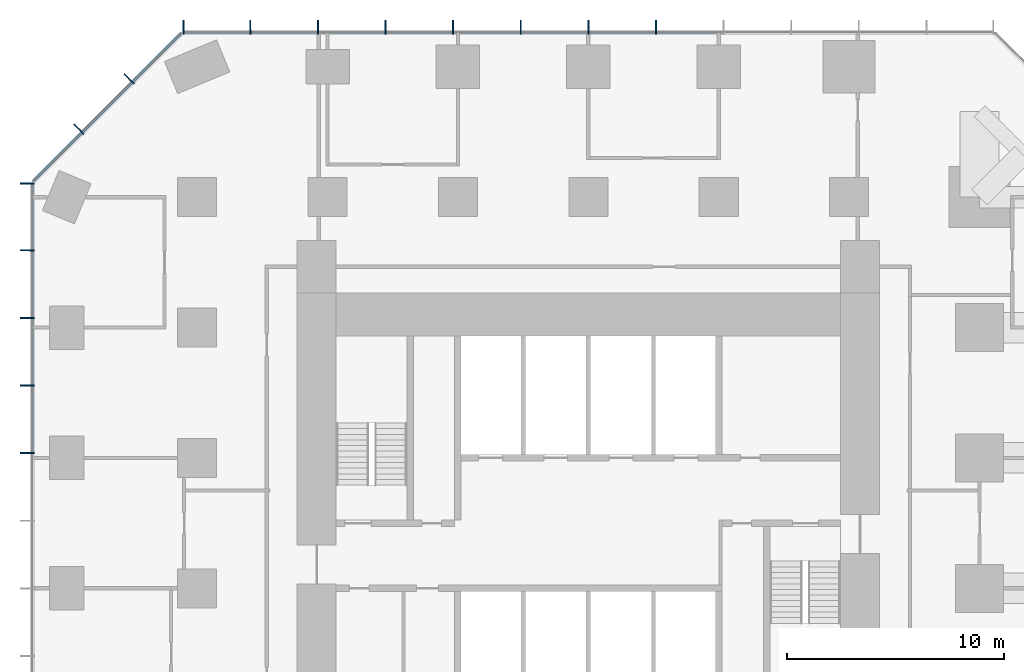
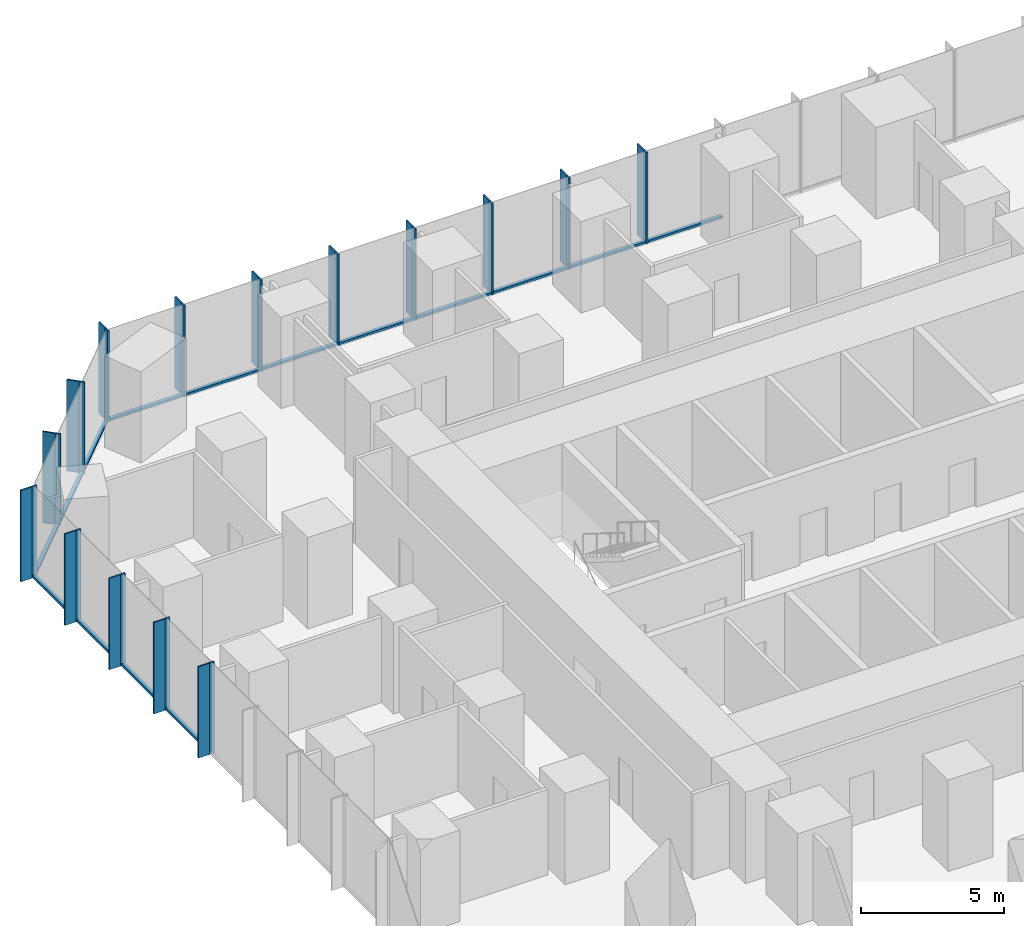
# One storey, part 5 of 12: 45 members, 3 elements without a shape of their own.
"""IFC4 building model written with IfcOpenShell, lengths in metres."""

from ifc_helpers import new_model, si_unit, direction, frame, origin, origin_2d, place, context, subcontext, project, spatial, rectangle, extrude, material, layer, layer_set, material_profile, profile_set, type_object, element, aggregate, save


model = new_model("IFC4")

# Units and contexts
model_context = context("Model", 3, precision=1e-05, world=origin(), true_north=direction((0.0, 1.0)))
body_context = subcontext(model_context, "Body", "Model", "MODEL_VIEW")
ifc_project = project(units=[si_unit("LENGTHUNIT", "METRE"), si_unit("AREAUNIT", "SQUARE_METRE"), si_unit("VOLUMEUNIT", "CUBIC_METRE"), si_unit("PLANEANGLEUNIT", "RADIAN"), si_unit("MASSUNIT", "GRAM", prefix="KILO")], contexts=[model_context])

# Site, building, storey
site_placement = place(None, origin())
site = spatial("IfcSite", under=ifc_project, at=site_placement, CompositionType="ELEMENT")
building_placement = place(site_placement, origin())
building = spatial("IfcBuilding", under=site, at=building_placement, Name="Highveld Stack Headquarters", CompositionType="ELEMENT")
storey_placement = place(building_placement, frame((0.0, 0.0, 45.5)))
storey = spatial("IfcBuildingStorey", under=building, at=storey_placement, Name="L10", CompositionType="ELEMENT", Elevation=45.5)

# Curtain wall, members
ifc_material_1 = material(Name="Aluminium bronze anodised", Category="aluminium")
ifc_layer_1 = layer(ifc_material_1, 0.199951171875)
ifc_layer_set_1 = layer_set([ifc_layer_1], Name="Aluminium bronze anodised")
curtain_wall_type_1 = type_object("IfcCurtainWallType", Name="CW1 TOWER UNITISED CURTAIN WALL", PredefinedType="NOTDEFINED", material=ifc_layer_set_1)
curtain_wall_1_placement = place(storey_placement, origin())
curtain_wall_1 = element("IfcCurtainWall", 1, at=curtain_wall_1_placement, inside=storey, type_object=curtain_wall_type_1, Name="Curtain wall CW1 L10 N", PredefinedType="NOTDEFINED")
ifc_material_2 = material(Name="Aluminium bronze anodised", Category="aluminium")
ifc_material_profile_1 = material_profile(ifc_material_2, rectangle(XDim=0.449951171875, YDim=0.06005859375, at=origin_2d()), Name="FIN 450x60")
ifc_profile_set_1 = profile_set([ifc_material_profile_1], Name="Aluminium bronze anodised")
member_type_1 = type_object("IfcMemberType", Name="CW1 BRONZE FIN 450x60", PredefinedType="USERDEFINED", material=ifc_profile_set_1)
member_1_placement = place(storey_placement, frame((9.110595703125, 25.925048828125, 0.0), z_axis=(0.0, 0.0, 1.0), x_axis=(0.0, -1.0, 0.0)))
member_1 = element("IfcMember", 2, at=member_1_placement, type_object=member_type_1, Name="CW1 fin L10 6", ObjectType="FIN", PredefinedType="USERDEFINED", context=body_context, shape_type="SweptSolid", body=[
    extrude(rectangle(XDim=0.449951171875, YDim=0.06005859375, at=origin_2d()), origin(), (0.0, 0.0, 1.0), 3.89990234375),
])
member_2_placement = place(storey_placement, frame((6.0, 25.925048828125, 0.0), z_axis=(0.0, 0.0, 1.0), x_axis=(0.0, -1.0, 0.0)))
member_2 = element("IfcMember", 3, at=member_2_placement, type_object=member_type_1, Name="CW1 fin L10 7", ObjectType="FIN", PredefinedType="USERDEFINED", context=body_context, shape_type="SweptSolid", body=[
    extrude(rectangle(XDim=0.449951171875, YDim=0.06005859375, at=origin_2d()), origin(), (0.0, 0.0, 1.0), 3.89990234375),
])
member_3_placement = place(storey_placement, frame((2.889404296875, 25.925048828125, 0.0), z_axis=(0.0, 0.0, 1.0), x_axis=(0.0, -1.0, 0.0)))
member_3 = element("IfcMember", 4, at=member_3_placement, type_object=member_type_1, Name="CW1 fin L10 8", ObjectType="FIN", PredefinedType="USERDEFINED", context=body_context, shape_type="SweptSolid", body=[
    extrude(rectangle(XDim=0.449951171875, YDim=0.06005859375, at=origin_2d()), origin(), (0.0, 0.0, 1.0), 3.89990234375),
])
member_4_placement = place(storey_placement, frame((-0.220947265625, 25.925048828125, 0.0), z_axis=(0.0, 0.0, 1.0), x_axis=(0.0, -1.0, 0.0)))
member_4 = element("IfcMember", 5, at=member_4_placement, type_object=member_type_1, Name="CW1 fin L10 9", ObjectType="FIN", PredefinedType="USERDEFINED", context=body_context, shape_type="SweptSolid", body=[
    extrude(rectangle(XDim=0.449951171875, YDim=0.06005859375, at=origin_2d()), origin(), (0.0, 0.0, 1.0), 3.89990234375),
])
member_5_placement = place(storey_placement, frame((-3.331298828125, 25.925048828125, 0.0), z_axis=(0.0, 0.0, 1.0), x_axis=(0.0, -1.0, 0.0)))
member_5 = element("IfcMember", 6, at=member_5_placement, type_object=member_type_1, Name="CW1 fin L10 10", ObjectType="FIN", PredefinedType="USERDEFINED", context=body_context, shape_type="SweptSolid", body=[
    extrude(rectangle(XDim=0.449951171875, YDim=0.06005859375, at=origin_2d()), origin(), (0.0, 0.0, 1.0), 3.89990234375),
])
member_6_placement = place(storey_placement, frame((-6.44189453125, 25.925048828125, 0.0), z_axis=(0.0, 0.0, 1.0), x_axis=(0.0, -1.0, 0.0)))
member_6 = element("IfcMember", 7, at=member_6_placement, type_object=member_type_1, Name="CW1 fin L10 11", ObjectType="FIN", PredefinedType="USERDEFINED", context=body_context, shape_type="SweptSolid", body=[
    extrude(rectangle(XDim=0.449951171875, YDim=0.06005859375, at=origin_2d()), origin(), (0.0, 0.0, 1.0), 3.89990234375),
])
member_7_placement = place(storey_placement, frame((-9.55224609375, 25.925048828125, 0.0), z_axis=(0.0, 0.0, 1.0), x_axis=(0.0, -1.0, 0.0)))
member_7 = element("IfcMember", 8, at=member_7_placement, type_object=member_type_1, Name="CW1 fin L10 12", ObjectType="FIN", PredefinedType="USERDEFINED", context=body_context, shape_type="SweptSolid", body=[
    extrude(rectangle(XDim=0.449951171875, YDim=0.06005859375, at=origin_2d()), origin(), (0.0, 0.0, 1.0), 3.89990234375),
])
member_8_placement = place(storey_placement, frame((-12.630126953125, 25.925048828125, 0.0), z_axis=(0.0, 0.0, 1.0), x_axis=(0.0, -1.0, 0.0)))
member_8 = element("IfcMember", 9, at=member_8_placement, type_object=member_type_1, Name="CW1 fin L10 13", ObjectType="FIN", PredefinedType="USERDEFINED", context=body_context, shape_type="SweptSolid", body=[
    extrude(rectangle(XDim=0.449951171875, YDim=0.06005859375, at=origin_2d()), origin(), (0.0, 0.0, 1.0), 3.89990234375),
])

curtain_wall_2_placement = place(storey_placement, origin())
curtain_wall_2 = element("IfcCurtainWall", 10, at=curtain_wall_2_placement, inside=storey, type_object=curtain_wall_type_1, Name="Curtain wall CW1 L10 W", PredefinedType="NOTDEFINED")
member_9_placement = place(storey_placement, frame((-19.925048828125, 18.630126953125, 0.0), z_axis=(0.0, 0.0, 1.0), x_axis=(1.0, 0.0, 0.0)))
member_9 = element("IfcMember", 11, at=member_9_placement, type_object=member_type_1, Name="CW1 fin L10 1", ObjectType="FIN", PredefinedType="USERDEFINED", context=body_context, shape_type="SweptSolid", body=[
    extrude(rectangle(XDim=0.449951171875, YDim=0.06005859375, at=origin_2d()), origin(), (0.0, 0.0, 1.0), 3.89990234375),
])
member_10_placement = place(storey_placement, frame((-19.925048828125, 15.55224609375, 0.0), z_axis=(0.0, 0.0, 1.0), x_axis=(1.0, 0.0, 0.0)))
member_10 = element("IfcMember", 12, at=member_10_placement, type_object=member_type_1, Name="CW1 fin L10 2", ObjectType="FIN", PredefinedType="USERDEFINED", context=body_context, shape_type="SweptSolid", body=[
    extrude(rectangle(XDim=0.449951171875, YDim=0.06005859375, at=origin_2d()), origin(), (0.0, 0.0, 1.0), 3.89990234375),
])
member_11_placement = place(storey_placement, frame((-19.925048828125, 12.44189453125, 0.0), z_axis=(0.0, 0.0, 1.0), x_axis=(1.0, 0.0, 0.0)))
member_11 = element("IfcMember", 13, at=member_11_placement, type_object=member_type_1, Name="CW1 fin L10 3", ObjectType="FIN", PredefinedType="USERDEFINED", context=body_context, shape_type="SweptSolid", body=[
    extrude(rectangle(XDim=0.449951171875, YDim=0.06005859375, at=origin_2d()), origin(), (0.0, 0.0, 1.0), 3.89990234375),
])
member_12_placement = place(storey_placement, frame((-19.925048828125, 9.331298828125, 0.0), z_axis=(0.0, 0.0, 1.0), x_axis=(1.0, 0.0, 0.0)))
member_12 = element("IfcMember", 14, at=member_12_placement, type_object=member_type_1, Name="CW1 fin L10 4", ObjectType="FIN", PredefinedType="USERDEFINED", context=body_context, shape_type="SweptSolid", body=[
    extrude(rectangle(XDim=0.449951171875, YDim=0.06005859375, at=origin_2d()), origin(), (0.0, 0.0, 1.0), 3.89990234375),
])
member_13_placement = place(storey_placement, frame((-19.925048828125, 6.220947265625, 0.0), z_axis=(0.0, 0.0, 1.0), x_axis=(1.0, 0.0, 0.0)))
member_13 = element("IfcMember", 15, at=member_13_placement, type_object=member_type_1, Name="CW1 fin L10 5", ObjectType="FIN", PredefinedType="USERDEFINED", context=body_context, shape_type="SweptSolid", body=[
    extrude(rectangle(XDim=0.449951171875, YDim=0.06005859375, at=origin_2d()), origin(), (0.0, 0.0, 1.0), 3.89990234375),
])

# Member
ifc_material_3 = material(Name="Aluminium bronze anodised", Category="aluminium")
ifc_material_profile_2 = material_profile(ifc_material_3, rectangle(XDim=0.199951171875, YDim=0.06494140625, at=origin_2d()), Name="CW1 MULLION 65x200")
ifc_profile_set_2 = profile_set([ifc_material_profile_2], Name="Aluminium bronze anodised")
member_type_2 = type_object("IfcMemberType", Name="CW1 MULLION 65x200", PredefinedType="MULLION", material=ifc_profile_set_2)
member_14_placement = place(storey_placement, frame((9.110595703125, 25.60009765625, 0.0), z_axis=(0.0, 0.0, 1.0), x_axis=(0.0, -1.0, 0.0)))
member_14 = element("IfcMember", 16, at=member_14_placement, type_object=member_type_2, Name="CW1 mullion L10 6", PredefinedType="MULLION", context=body_context, shape_type="SweptSolid", body=[
    extrude(rectangle(XDim=0.199951171875, YDim=0.06494140625, at=origin_2d()), origin(), (0.0, 0.0, 1.0), 3.89990234375),
])

member_15_placement = place(storey_placement, frame((6.0, 25.60009765625, 0.0), z_axis=(0.0, 0.0, 1.0), x_axis=(0.0, -1.0, 0.0)))
member_15 = element("IfcMember", 17, at=member_15_placement, type_object=member_type_2, Name="CW1 mullion L10 7", PredefinedType="MULLION", context=body_context, shape_type="SweptSolid", body=[
    extrude(rectangle(XDim=0.199951171875, YDim=0.06494140625, at=origin_2d()), origin(), (0.0, 0.0, 1.0), 3.89990234375),
])

member_16_placement = place(storey_placement, frame((2.889404296875, 25.60009765625, 0.0), z_axis=(0.0, 0.0, 1.0), x_axis=(0.0, -1.0, 0.0)))
member_16 = element("IfcMember", 18, at=member_16_placement, type_object=member_type_2, Name="CW1 mullion L10 8", PredefinedType="MULLION", context=body_context, shape_type="SweptSolid", body=[
    extrude(rectangle(XDim=0.199951171875, YDim=0.06494140625, at=origin_2d()), origin(), (0.0, 0.0, 1.0), 3.89990234375),
])

member_17_placement = place(storey_placement, frame((-0.220947265625, 25.60009765625, 0.0), z_axis=(0.0, 0.0, 1.0), x_axis=(0.0, -1.0, 0.0)))
member_17 = element("IfcMember", 19, at=member_17_placement, type_object=member_type_2, Name="CW1 mullion L10 9", PredefinedType="MULLION", context=body_context, shape_type="SweptSolid", body=[
    extrude(rectangle(XDim=0.199951171875, YDim=0.06494140625, at=origin_2d()), origin(), (0.0, 0.0, 1.0), 3.89990234375),
])

member_18_placement = place(storey_placement, frame((-3.331298828125, 25.60009765625, 0.0), z_axis=(0.0, 0.0, 1.0), x_axis=(0.0, -1.0, 0.0)))
member_18 = element("IfcMember", 20, at=member_18_placement, type_object=member_type_2, Name="CW1 mullion L10 10", PredefinedType="MULLION", context=body_context, shape_type="SweptSolid", body=[
    extrude(rectangle(XDim=0.199951171875, YDim=0.06494140625, at=origin_2d()), origin(), (0.0, 0.0, 1.0), 3.89990234375),
])

member_19_placement = place(storey_placement, frame((-6.44189453125, 25.60009765625, 0.0), z_axis=(0.0, 0.0, 1.0), x_axis=(0.0, -1.0, 0.0)))
member_19 = element("IfcMember", 21, at=member_19_placement, type_object=member_type_2, Name="CW1 mullion L10 11", PredefinedType="MULLION", context=body_context, shape_type="SweptSolid", body=[
    extrude(rectangle(XDim=0.199951171875, YDim=0.06494140625, at=origin_2d()), origin(), (0.0, 0.0, 1.0), 3.89990234375),
])

member_20_placement = place(storey_placement, frame((-9.55224609375, 25.60009765625, 0.0), z_axis=(0.0, 0.0, 1.0), x_axis=(0.0, -1.0, 0.0)))
member_20 = element("IfcMember", 22, at=member_20_placement, type_object=member_type_2, Name="CW1 mullion L10 12", PredefinedType="MULLION", context=body_context, shape_type="SweptSolid", body=[
    extrude(rectangle(XDim=0.199951171875, YDim=0.06494140625, at=origin_2d()), origin(), (0.0, 0.0, 1.0), 3.89990234375),
])

member_21_placement = place(storey_placement, frame((-12.630126953125, 25.60009765625, 0.0), z_axis=(0.0, 0.0, 1.0), x_axis=(0.0, -1.0, 0.0)))
member_21 = element("IfcMember", 23, at=member_21_placement, type_object=member_type_2, Name="CW1 mullion L10 13", PredefinedType="MULLION", context=body_context, shape_type="SweptSolid", body=[
    extrude(rectangle(XDim=0.199951171875, YDim=0.06494140625, at=origin_2d()), origin(), (0.0, 0.0, 1.0), 3.89990234375),
])

member_22_placement = place(storey_placement, frame((-19.60009765625, 18.630126953125, 0.0), z_axis=(0.0, 0.0, 1.0), x_axis=(1.0, 0.0, 0.0)))
member_22 = element("IfcMember", 24, at=member_22_placement, type_object=member_type_2, Name="CW1 mullion L10 1", PredefinedType="MULLION", context=body_context, shape_type="SweptSolid", body=[
    extrude(rectangle(XDim=0.199951171875, YDim=0.06494140625, at=origin_2d()), origin(), (0.0, 0.0, 1.0), 3.89990234375),
])

member_23_placement = place(storey_placement, frame((-19.60009765625, 15.55224609375, 0.0), z_axis=(0.0, 0.0, 1.0), x_axis=(1.0, 0.0, 0.0)))
member_23 = element("IfcMember", 25, at=member_23_placement, type_object=member_type_2, Name="CW1 mullion L10 2", PredefinedType="MULLION", context=body_context, shape_type="SweptSolid", body=[
    extrude(rectangle(XDim=0.199951171875, YDim=0.06494140625, at=origin_2d()), origin(), (0.0, 0.0, 1.0), 3.89990234375),
])

member_24_placement = place(storey_placement, frame((-19.60009765625, 12.44189453125, 0.0), z_axis=(0.0, 0.0, 1.0), x_axis=(1.0, 0.0, 0.0)))
member_24 = element("IfcMember", 26, at=member_24_placement, type_object=member_type_2, Name="CW1 mullion L10 3", PredefinedType="MULLION", context=body_context, shape_type="SweptSolid", body=[
    extrude(rectangle(XDim=0.199951171875, YDim=0.06494140625, at=origin_2d()), origin(), (0.0, 0.0, 1.0), 3.89990234375),
])

member_25_placement = place(storey_placement, frame((-19.60009765625, 9.331298828125, 0.0), z_axis=(0.0, 0.0, 1.0), x_axis=(1.0, 0.0, 0.0)))
member_25 = element("IfcMember", 27, at=member_25_placement, type_object=member_type_2, Name="CW1 mullion L10 4", PredefinedType="MULLION", context=body_context, shape_type="SweptSolid", body=[
    extrude(rectangle(XDim=0.199951171875, YDim=0.06494140625, at=origin_2d()), origin(), (0.0, 0.0, 1.0), 3.89990234375),
])

member_26_placement = place(storey_placement, frame((-19.60009765625, 6.220947265625, 0.0), z_axis=(0.0, 0.0, 1.0), x_axis=(1.0, 0.0, 0.0)))
member_26 = element("IfcMember", 28, at=member_26_placement, type_object=member_type_2, Name="CW1 mullion L10 5", PredefinedType="MULLION", context=body_context, shape_type="SweptSolid", body=[
    extrude(rectangle(XDim=0.199951171875, YDim=0.06494140625, at=origin_2d()), origin(), (0.0, 0.0, 1.0), 3.89990234375),
])

ifc_material_4 = material(Name="Aluminium bronze anodised", Category="aluminium")
ifc_material_profile_3 = material_profile(ifc_material_4, rectangle(XDim=0.14990234375, YDim=0.10009765625, at=origin_2d()), Name="CW1 TRANSOM 150x100")
ifc_profile_set_3 = profile_set([ifc_material_profile_3], Name="Aluminium bronze anodised")
member_type_3 = type_object("IfcMemberType", Name="CW1 STACK TRANSOM 150x100", PredefinedType="USERDEFINED", material=ifc_profile_set_3)
member_27_placement = place(storey_placement, frame((12.1884765625, 25.60009765625, 0.050048828125), z_axis=(-1.0, 0.0, 0.0), x_axis=(0.0, -1.0, 0.0)))
member_27 = element("IfcMember", 29, at=member_27_placement, type_object=member_type_3, Name="CW1 transom L10 5.1", ObjectType="TRANSOM", PredefinedType="USERDEFINED", context=body_context, shape_type="SweptSolid", body=[
    extrude(rectangle(XDim=0.14990234375, YDim=0.10009765625, at=origin_2d()), origin(), (0.0, 0.0, 1.0), 3.04541015625),
])

member_28_placement = place(storey_placement, frame((9.077880859375, 25.60009765625, 0.050048828125), z_axis=(-1.0, 0.0, 0.0), x_axis=(0.0, -1.0, 0.0)))
member_28 = element("IfcMember", 30, at=member_28_placement, type_object=member_type_3, Name="CW1 transom L10 6.1", ObjectType="TRANSOM", PredefinedType="USERDEFINED", context=body_context, shape_type="SweptSolid", body=[
    extrude(rectangle(XDim=0.14990234375, YDim=0.10009765625, at=origin_2d()), origin(), (0.0, 0.0, 1.0), 3.04541015625),
])

member_29_placement = place(storey_placement, frame((5.967529296875, 25.60009765625, 0.050048828125), z_axis=(-1.0, 0.0, 0.0), x_axis=(0.0, -1.0, 0.0)))
member_29 = element("IfcMember", 31, at=member_29_placement, type_object=member_type_3, Name="CW1 transom L10 7.1", ObjectType="TRANSOM", PredefinedType="USERDEFINED", context=body_context, shape_type="SweptSolid", body=[
    extrude(rectangle(XDim=0.14990234375, YDim=0.10009765625, at=origin_2d()), origin(), (0.0, 0.0, 1.0), 3.04541015625),
])

member_30_placement = place(storey_placement, frame((2.857177734375, 25.60009765625, 0.050048828125), z_axis=(-1.0, 0.0, 0.0), x_axis=(0.0, -1.0, 0.0)))
member_30 = element("IfcMember", 32, at=member_30_placement, type_object=member_type_3, Name="CW1 transom L10 8.1", ObjectType="TRANSOM", PredefinedType="USERDEFINED", context=body_context, shape_type="SweptSolid", body=[
    extrude(rectangle(XDim=0.14990234375, YDim=0.10009765625, at=origin_2d()), origin(), (0.0, 0.0, 1.0), 3.045654296875),
])

member_31_placement = place(storey_placement, frame((-0.25341796875, 25.60009765625, 0.050048828125), z_axis=(-1.0, 0.0, 0.0), x_axis=(0.0, -1.0, 0.0)))
member_31 = element("IfcMember", 33, at=member_31_placement, type_object=member_type_3, Name="CW1 transom L10 9.1", ObjectType="TRANSOM", PredefinedType="USERDEFINED", context=body_context, shape_type="SweptSolid", body=[
    extrude(rectangle(XDim=0.14990234375, YDim=0.10009765625, at=origin_2d()), origin(), (0.0, 0.0, 1.0), 3.04541015625),
])

member_32_placement = place(storey_placement, frame((-3.36376953125, 25.60009765625, 0.050048828125), z_axis=(-1.0, 0.0, 0.0), x_axis=(0.0, -1.0, 0.0)))
member_32 = element("IfcMember", 34, at=member_32_placement, type_object=member_type_3, Name="CW1 transom L10 10.1", ObjectType="TRANSOM", PredefinedType="USERDEFINED", context=body_context, shape_type="SweptSolid", body=[
    extrude(rectangle(XDim=0.14990234375, YDim=0.10009765625, at=origin_2d()), origin(), (0.0, 0.0, 1.0), 3.04541015625),
])

member_33_placement = place(storey_placement, frame((-6.474365234375, 25.60009765625, 0.050048828125), z_axis=(-1.0, 0.0, 0.0), x_axis=(0.0, -1.0, 0.0)))
member_33 = element("IfcMember", 35, at=member_33_placement, type_object=member_type_3, Name="CW1 transom L10 11.1", ObjectType="TRANSOM", PredefinedType="USERDEFINED", context=body_context, shape_type="SweptSolid", body=[
    extrude(rectangle(XDim=0.14990234375, YDim=0.10009765625, at=origin_2d()), origin(), (0.0, 0.0, 1.0), 3.04541015625),
])

member_34_placement = place(storey_placement, frame((-9.584716796875, 25.60009765625, 0.050048828125), z_axis=(-1.0, 0.0, 0.0), x_axis=(0.0, -1.0, 0.0)))
member_34 = element("IfcMember", 36, at=member_34_placement, type_object=member_type_3, Name="CW1 transom L10 12.1", ObjectType="TRANSOM", PredefinedType="USERDEFINED", context=body_context, shape_type="SweptSolid", body=[
    extrude(rectangle(XDim=0.14990234375, YDim=0.10009765625, at=origin_2d()), origin(), (0.0, 0.0, 1.0), 3.012939453125),
])

aggregate(curtain_wall_1, [member_14, member_1, member_15, member_2, member_16, member_3, member_17, member_4, member_18, member_5, member_19, member_6, member_20, member_7, member_21, member_8, member_27, member_28, member_29, member_30, member_31, member_32, member_33, member_34])

member_35_placement = place(storey_placement, frame((-19.60009765625, 18.59765625, 0.050048828125), z_axis=(0.0, -1.0, 0.0), x_axis=(1.0, 0.0, 0.0)))
member_35 = element("IfcMember", 37, at=member_35_placement, type_object=member_type_3, Name="CW1 transom L10 1.1", ObjectType="TRANSOM", PredefinedType="USERDEFINED", context=body_context, shape_type="SweptSolid", body=[
    extrude(rectangle(XDim=0.14990234375, YDim=0.10009765625, at=origin_2d()), origin(), (0.0, 0.0, 1.0), 3.012939453125),
])

member_36_placement = place(storey_placement, frame((-19.60009765625, 15.519775390625, 0.050048828125), z_axis=(0.0, -1.0, 0.0), x_axis=(1.0, 0.0, 0.0)))
member_36 = element("IfcMember", 38, at=member_36_placement, type_object=member_type_3, Name="CW1 transom L10 2.1", ObjectType="TRANSOM", PredefinedType="USERDEFINED", context=body_context, shape_type="SweptSolid", body=[
    extrude(rectangle(XDim=0.14990234375, YDim=0.10009765625, at=origin_2d()), origin(), (0.0, 0.0, 1.0), 3.04541015625),
])

member_37_placement = place(storey_placement, frame((-19.60009765625, 12.4091796875, 0.050048828125), z_axis=(0.0, -1.0, 0.0), x_axis=(1.0, 0.0, 0.0)))
member_37 = element("IfcMember", 39, at=member_37_placement, type_object=member_type_3, Name="CW1 transom L10 3.1", ObjectType="TRANSOM", PredefinedType="USERDEFINED", context=body_context, shape_type="SweptSolid", body=[
    extrude(rectangle(XDim=0.14990234375, YDim=0.10009765625, at=origin_2d()), origin(), (0.0, 0.0, 1.0), 3.045166015625),
])

member_38_placement = place(storey_placement, frame((-19.60009765625, 9.298828125, 0.050048828125), z_axis=(0.0, -1.0, 0.0), x_axis=(1.0, 0.0, 0.0)))
member_38 = element("IfcMember", 40, at=member_38_placement, type_object=member_type_3, Name="CW1 transom L10 4.1", ObjectType="TRANSOM", PredefinedType="USERDEFINED", context=body_context, shape_type="SweptSolid", body=[
    extrude(rectangle(XDim=0.14990234375, YDim=0.10009765625, at=origin_2d()), origin(), (0.0, 0.0, 1.0), 3.04541015625),
])

aggregate(curtain_wall_2, [member_22, member_9, member_23, member_10, member_24, member_11, member_25, member_12, member_26, member_13, member_35, member_36, member_37, member_38])

# Curtain wall, members
ifc_material_5 = material(Name="Aluminium bronze anodised", Category="aluminium")
ifc_layer_2 = layer(ifc_material_5, 0.199951171875)
ifc_layer_set_2 = layer_set([ifc_layer_2], Name="Aluminium bronze anodised")
curtain_wall_type_2 = type_object("IfcCurtainWallType", Name="CW2 TOWER CHAMFER UNITISED CURTAIN WALL", PredefinedType="NOTDEFINED", material=ifc_layer_set_2)
curtain_wall_3_placement = place(storey_placement, origin())
curtain_wall_3 = element("IfcCurtainWall", 41, at=curtain_wall_3_placement, inside=storey, type_object=curtain_wall_type_2, Name="Curtain wall CW2 L10 NW", PredefinedType="NOTDEFINED")
ifc_material_6 = material(Name="Aluminium bronze anodised", Category="aluminium")
ifc_material_profile_4 = material_profile(ifc_material_6, rectangle(XDim=0.449951171875, YDim=0.06005859375, at=origin_2d()), Name="FIN 450x60")
ifc_profile_set_4 = profile_set([ifc_material_profile_4], Name="Aluminium bronze anodised")
member_type_4 = type_object("IfcMemberType", Name="CW2 BRONZE FIN 450x60", PredefinedType="USERDEFINED", material=ifc_profile_set_4)
member_39_placement = place(storey_placement, frame((-15.204833984375, 23.517333984375, 0.0), z_axis=(0.0, 0.0, 1.0), x_axis=(0.707106781187, -0.707106781187, 0.0)))
member_39 = element("IfcMember", 42, at=member_39_placement, type_object=member_type_4, Name="CW2 fin L10 1", ObjectType="FIN", PredefinedType="USERDEFINED", context=body_context, shape_type="SweptSolid", body=[
    extrude(rectangle(XDim=0.449951171875, YDim=0.06005859375, at=origin_2d()), origin(), (0.0, 0.0, 1.0), 3.89990234375),
])
member_40_placement = place(storey_placement, frame((-17.517333984375, 21.204833984375, 0.0), z_axis=(0.0, 0.0, 1.0), x_axis=(0.707106781187, -0.707106781187, 0.0)))
member_40 = element("IfcMember", 43, at=member_40_placement, type_object=member_type_4, Name="CW2 fin L10 2", ObjectType="FIN", PredefinedType="USERDEFINED", context=body_context, shape_type="SweptSolid", body=[
    extrude(rectangle(XDim=0.449951171875, YDim=0.06005859375, at=origin_2d()), origin(), (0.0, 0.0, 1.0), 3.89990234375),
])
ifc_material_7 = material(Name="Aluminium bronze anodised", Category="aluminium")
ifc_material_profile_5 = material_profile(ifc_material_7, rectangle(XDim=0.199951171875, YDim=0.06494140625, at=origin_2d()), Name="CW2 MULLION 65x200")
ifc_profile_set_5 = profile_set([ifc_material_profile_5], Name="Aluminium bronze anodised")
member_type_5 = type_object("IfcMemberType", Name="CW2 MULLION 65x200", PredefinedType="MULLION", material=ifc_profile_set_5)
member_41_placement = place(storey_placement, frame((-14.97509765625, 23.28759765625, 0.0), z_axis=(0.0, 0.0, 1.0), x_axis=(0.707106781187, -0.707106781187, 0.0)))
member_41 = element("IfcMember", 44, at=member_41_placement, type_object=member_type_5, Name="CW2 mullion L10 1", PredefinedType="MULLION", context=body_context, shape_type="SweptSolid", body=[
    extrude(rectangle(XDim=0.199951171875, YDim=0.06494140625, at=origin_2d()), origin(), (0.0, 0.0, 1.0), 3.89990234375),
])
member_42_placement = place(storey_placement, frame((-17.28759765625, 20.97509765625, 0.0), z_axis=(0.0, 0.0, 1.0), x_axis=(0.707106781187, -0.707106781187, 0.0)))
member_42 = element("IfcMember", 45, at=member_42_placement, type_object=member_type_5, Name="CW2 mullion L10 2", PredefinedType="MULLION", context=body_context, shape_type="SweptSolid", body=[
    extrude(rectangle(XDim=0.199951171875, YDim=0.06494140625, at=origin_2d()), origin(), (0.0, 0.0, 1.0), 3.89990234375),
])
ifc_material_8 = material(Name="Aluminium bronze anodised", Category="aluminium")
ifc_material_profile_6 = material_profile(ifc_material_8, rectangle(XDim=0.14990234375, YDim=0.10009765625, at=origin_2d()), Name="CW2 TRANSOM 150x100")
ifc_profile_set_6 = profile_set([ifc_material_profile_6], Name="Aluminium bronze anodised")
member_type_6 = type_object("IfcMemberType", Name="CW2 STACK TRANSOM 150x100", PredefinedType="USERDEFINED", material=ifc_profile_set_6)
member_43_placement = place(storey_placement, frame((-12.7333984375, 25.529296875, 0.050048828125), z_axis=(-0.707106781187, -0.707106781187, 0.0), x_axis=(0.707106781187, -0.707106781187, 0.0)))
member_43 = element("IfcMember", 46, at=member_43_placement, type_object=member_type_6, Name="CW2 transom L10 1.1", ObjectType="TRANSOM", PredefinedType="USERDEFINED", context=body_context, shape_type="SweptSolid", body=[
    extrude(rectangle(XDim=0.14990234375, YDim=0.10009765625, at=origin_2d()), origin(), (0.0, 0.0, 1.0), 3.1376953125),
])
member_44_placement = place(storey_placement, frame((-14.998046875, 23.2646484375, 0.050048828125), z_axis=(-0.707106781187, -0.707106781187, 0.0), x_axis=(0.707106781187, -0.707106781187, 0.0)))
member_44 = element("IfcMember", 47, at=member_44_placement, type_object=member_type_6, Name="CW2 transom L10 2.1", ObjectType="TRANSOM", PredefinedType="USERDEFINED", context=body_context, shape_type="SweptSolid", body=[
    extrude(rectangle(XDim=0.14990234375, YDim=0.10009765625, at=origin_2d()), origin(), (0.0, 0.0, 1.0), 3.20556640625),
])
member_45_placement = place(storey_placement, frame((-17.310546875, 20.9521484375, 0.050048828125), z_axis=(-0.707106781187, -0.707106781187, 0.0), x_axis=(0.707106781187, -0.707106781187, 0.0)))
member_45 = element("IfcMember", 48, at=member_45_placement, type_object=member_type_6, Name="CW2 transom L10 3.1", ObjectType="TRANSOM", PredefinedType="USERDEFINED", context=body_context, shape_type="SweptSolid", body=[
    extrude(rectangle(XDim=0.14990234375, YDim=0.10009765625, at=origin_2d()), origin(), (0.0, 0.0, 1.0), 3.1376953125),
])
aggregate(curtain_wall_3, [member_41, member_39, member_42, member_40, member_43, member_44, member_45])

save(model, "model.ifc")
